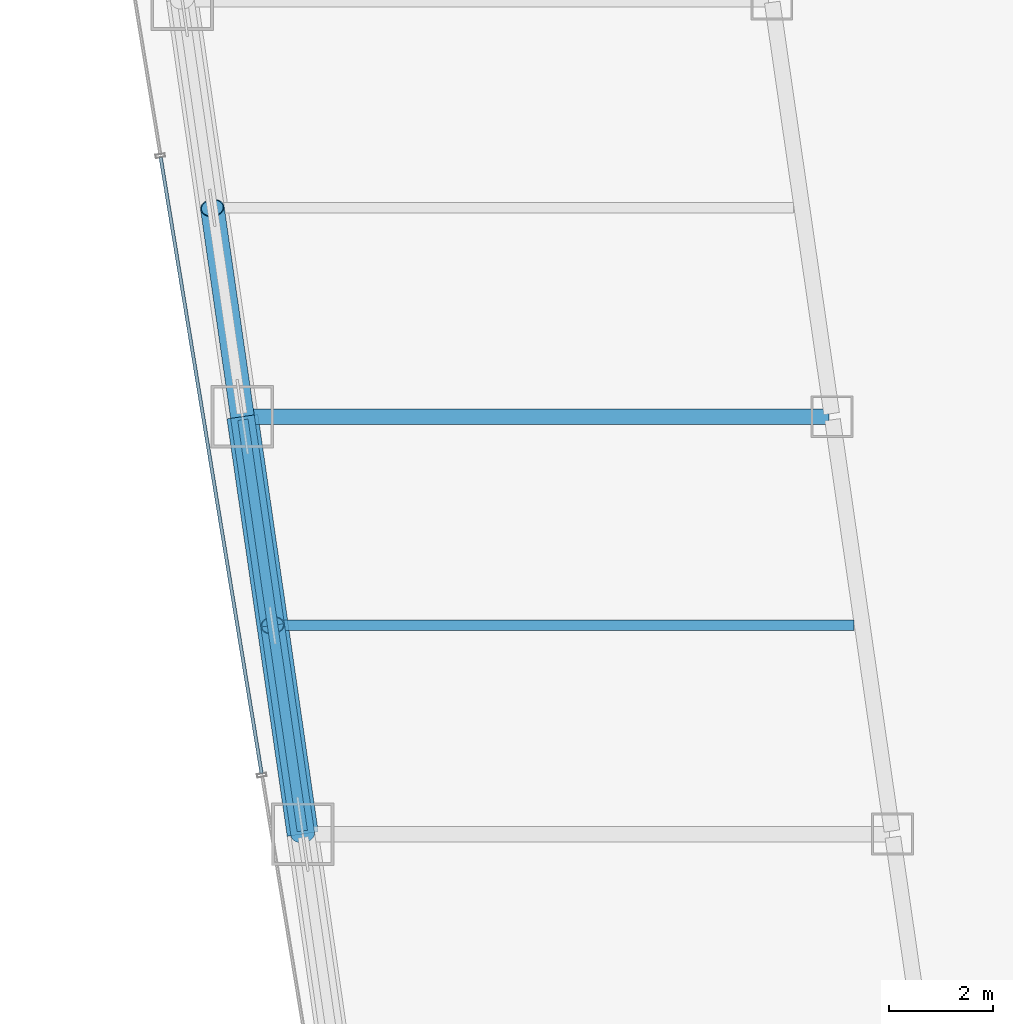
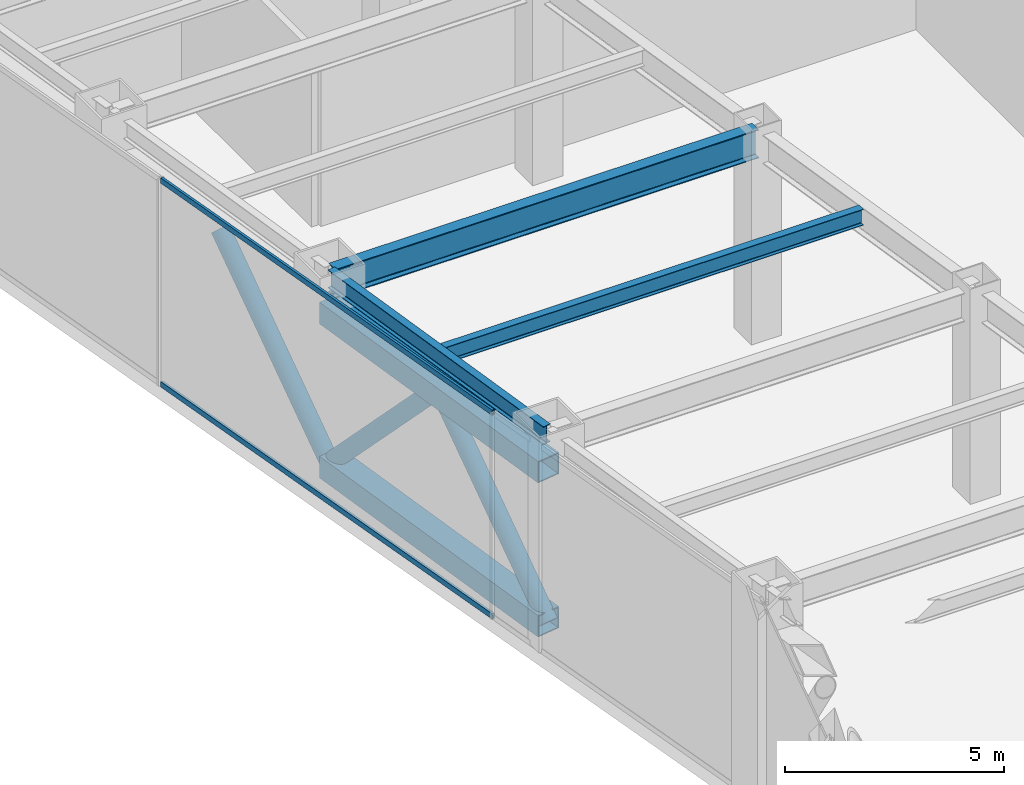
# One storey, part 10 of 35: 7 members, 3 beams, 1 element without a shape of its own.
"""IFC4 building model written with IfcOpenShell, lengths in metres."""

from ifc_helpers import new_model, si_unit, direction, frame, origin, origin_2d, place, context, subcontext, project, spatial, hollow_rectangle, hollow_circle, i_section, extrude, material, material_profile, profile_set, type_object, element, aggregate, save


model = new_model("IFC4")

# Units and contexts
model_context = context("Model", 3, precision=1e-05, world=origin(), true_north=direction((0.0, 1.0)))
body_context = subcontext(model_context, "Body", "Model", "MODEL_VIEW")
ifc_project = project(units=[si_unit("LENGTHUNIT", "METRE"), si_unit("AREAUNIT", "SQUARE_METRE"), si_unit("VOLUMEUNIT", "CUBIC_METRE"), si_unit("PLANEANGLEUNIT", "RADIAN"), si_unit("MASSUNIT", "GRAM", prefix="KILO")], contexts=[model_context])

# Site, building, storey
site_placement = place(None, origin())
site = spatial("IfcSite", under=ifc_project, at=site_placement, CompositionType="ELEMENT")
building_placement = place(site_placement, origin())
building = spatial("IfcBuilding", under=site, at=building_placement, Name="Saevonmaru Cultural Tower", CompositionType="ELEMENT")
storey_placement = place(building_placement, frame((0.0, 0.0, 86.800048828125)))
storey = spatial("IfcBuildingStorey", under=building, at=storey_placement, Name="L18", CompositionType="ELEMENT", Elevation=86.800048828125)

# Beams
ifc_material_1 = material(Name="Steel SM420", Category="steel")
ifc_material_profile_1 = material_profile(ifc_material_1, i_section(OverallWidth=0.300048828125, OverallDepth=0.800048828125, WebThickness=0.013916015625, FlangeThickness=0.02587890625, FilletRadius=0.028076171875, at=origin_2d()), Name="H-800x300x14x26")
ifc_profile_set_1 = profile_set([ifc_material_profile_1], Name="Steel SM420")
beam_type_1 = type_object("IfcBeamType", Name="BM-G-H800", PredefinedType="BEAM", material=ifc_profile_set_1)
beam_1_placement = place(storey_placement, frame((9.531982421875, 24.0, 5.349853515625), z_axis=(1.0, 0.0, 0.0), x_axis=(0.0, 1.0, 0.0)))
element("IfcBeam", 1, at=beam_1_placement, inside=storey, type_object=beam_type_1, Name="L18 West Wing Transverse Girder 4", PredefinedType="BEAM", context=body_context, shape_type="SweptSolid", body=[
    extrude(i_section(OverallWidth=0.300048828125, OverallDepth=0.800048828125, WebThickness=0.013916015625, FlangeThickness=0.02587890625, FilletRadius=0.028076171875, at=origin_2d()), origin(), (0.0, 0.0, 1.0), 11.179931640625),
])
ifc_material_2 = material(Name="Steel SM355", Category="steel")
ifc_material_profile_2 = material_profile(ifc_material_2, i_section(OverallWidth=0.199951171875, OverallDepth=0.449951171875, WebThickness=0.009033203125, FlangeThickness=0.013916015625, FilletRadius=0.01806640625, at=origin_2d()), Name="H-450x200x9x14")
ifc_profile_set_2 = profile_set([ifc_material_profile_2], Name="Steel SM355")
beam_type_2 = type_object("IfcBeamType", Name="BM-J-H450", PredefinedType="JOIST", material=ifc_profile_set_2)
beam_2_placement = place(storey_placement, frame((10.110107421875, 20.0, 5.52490234375), z_axis=(1.0, 0.0, 0.0), x_axis=(0.0, 1.0, 0.0)))
element("IfcBeam", 2, at=beam_2_placement, inside=storey, type_object=beam_type_2, Name="L18 West Wing Floor Joist 3", PredefinedType="JOIST", context=body_context, shape_type="SweptSolid", body=[
    extrude(i_section(OverallWidth=0.199951171875, OverallDepth=0.449951171875, WebThickness=0.009033203125, FlangeThickness=0.013916015625, FilletRadius=0.01806640625, at=origin_2d()), origin(), (0.0, 0.0, 1.0), 11.081787109375),
])
ifc_material_profile_3 = material_profile(ifc_material_2, i_section(OverallWidth=0.199951171875, OverallDepth=0.5, WebThickness=0.010009765625, FlangeThickness=0.01611328125, FilletRadius=0.02001953125, at=origin_2d()), Name="H-500x200x10x16")
ifc_profile_set_3 = profile_set([ifc_material_profile_3], Name="Steel SM355")
beam_type_3 = type_object("IfcBeamType", Name="BM-SP-H500", PredefinedType="SPANDREL", material=ifc_profile_set_3)
beam_3_placement = place(storey_placement, frame((10.619384765625, 16.059326171875, 5.5), z_axis=(-0.142992129437, 0.989723825579, 0.0), x_axis=(-0.989723825579, -0.142992129437, 0.0)))
element("IfcBeam", 3, at=beam_3_placement, inside=storey, type_object=beam_type_3, Name="L18 West Splayed Spandrel 3", PredefinedType="SPANDREL", context=body_context, shape_type="SweptSolid", body=[
    extrude(i_section(OverallWidth=0.199951171875, OverallDepth=0.5, WebThickness=0.010009765625, FlangeThickness=0.01611328125, FilletRadius=0.02001953125, at=origin_2d()), origin(), (0.0, 0.0, 1.0), 7.963134765625),
])

# Members
ifc_material_profile_4 = material_profile(ifc_material_1, hollow_circle(Radius=0.228515625, WallThickness=0.02001953125, at=origin_2d()), Name="CHS-457.2x20")
ifc_profile_set_4 = profile_set([ifc_material_profile_4], Name="Steel SM420")
member_type_1 = type_object("IfcMemberType", Name="MB-BBR-CHS457", PredefinedType="BRACE", material=ifc_profile_set_4)
for number, where, z_axis, x_axis, name in (
    (4, (10.6279296875, 16.0, 0.300048828125), (-0.09792865543, 0.67784667958, 0.728652082566), (-0.989724747682, -0.142985746934, 0.0), "L18 Belt Truss Diagonal BW3-1"),
    (5, (9.471923828125, 24.0, 0.300048828125), (0.097969630896, -0.677843932686, 0.728649129789), (0.989716197255, 0.143044919135, 0.0), "L18 Belt Truss Diagonal BW3-2"),
):
    element("IfcMember", number, at=place(storey_placement, frame(where, z_axis=z_axis, x_axis=x_axis)), inside=storey, type_object=member_type_1, Name=name, PredefinedType="BRACE", context=body_context, shape_type="SweptSolid", body=[
        extrude(hollow_circle(Radius=0.228515625, WallThickness=0.02001953125, at=origin_2d()), origin(), (0.0, 0.0, 1.0), 5.901123046875),
    ])
member_1_placement = place(storey_placement, frame((9.471923828125, 24.0, 0.300048828125), z_axis=(-0.097764748588, 0.677857655887, 0.72866388156), x_axis=(-0.989758915483, -0.142749042803, 0.0)))
element("IfcMember", 6, at=member_1_placement, inside=storey, type_object=member_type_1, Name="L18 Belt Truss Diagonal BW4-1", PredefinedType="BRACE", context=body_context, shape_type="SweptSolid", body=[
    extrude(hollow_circle(Radius=0.228515625, WallThickness=0.02001953125, at=origin_2d()), origin(), (0.0, 0.0, 1.0), 5.90087890625),
])
ifc_material_profile_5 = material_profile(ifc_material_1, hollow_rectangle(XDim=0.60009765625, YDim=0.60009765625, WallThickness=0.028076171875, at=origin_2d()), Name="BOX-600x600x28")
ifc_profile_set_5 = profile_set([ifc_material_profile_5], Name="Steel SM420")
member_type_2 = type_object("IfcMemberType", Name="MB-BCH-BOX600", PredefinedType="CHORD", material=ifc_profile_set_5)
for number, where, z_axis, x_axis, name in (
    (7, (10.6279296875, 16.0, 0.300048828125), (-0.143015333226, 0.989720472892, 0.0), (-0.989720472892, -0.143015333226, 0.0), "L18 Belt Truss Bottom Chord BW3"),
    (8, (10.6279296875, 16.0, 4.599853515625), (-0.143015333226, 0.989720472892, 0.0), (-0.989720472892, -0.143015333226, 0.0), "L18 Belt Truss Top Chord BW3"),
):
    element("IfcMember", number, at=place(storey_placement, frame(where, z_axis=z_axis, x_axis=x_axis)), inside=storey, type_object=member_type_2, Name=name, PredefinedType="CHORD", context=body_context, shape_type="SweptSolid", body=[
        extrude(hollow_rectangle(XDim=0.60009765625, YDim=0.60009765625, WallThickness=0.028076171875, at=origin_2d()), origin(), (0.0, 0.0, 1.0), 8.0830078125),
    ])

# Curtain wall, members
ifc_material_3 = material(Name="Satin Bronze Anodised Aluminium", Category="aluminium")
curtain_wall_type = type_object("IfcCurtainWallType", Name="CW-TYP-A", PredefinedType="NOTDEFINED", material=ifc_material_3)
curtain_wall_placement = place(storey_placement, origin())
curtain_wall = element("IfcCurtainWall", 9, at=curtain_wall_placement, inside=storey, type_object=curtain_wall_type, Name="L18 Wind-Floor Acoustic Louvre Screen E12", PredefinedType="NOTDEFINED")
ifc_material_profile_6 = material_profile(ifc_material_3, hollow_rectangle(XDim=0.06494140625, YDim=0.14990234375, WallThickness=0.00390625, at=origin_2d()), Name="ALU-TRAN-150x65x4")
ifc_profile_set_6 = profile_set([ifc_material_profile_6], Name="Satin Bronze Anodised Aluminium")
member_type_3 = type_object("IfcMemberType", Name="TR-CW-150x65", PredefinedType="USERDEFINED", material=ifc_profile_set_6)
member_2_placement = place(storey_placement, frame((7.9052734375, 28.968017578125, 0.032470703125), z_axis=(0.161701400727, -0.986839732177, 0.0), x_axis=(0.986839732177, 0.161701400727, 0.0)))
member_2 = element("IfcMember", 10, at=member_2_placement, type_object=member_type_3, Name="CW-TW-L18-E12 transom 3.1", ObjectType="TRANSOM", PredefinedType="USERDEFINED", context=body_context, shape_type="SweptSolid", body=[
    extrude(hollow_rectangle(XDim=0.06494140625, YDim=0.14990234375, WallThickness=0.00390625, at=origin_2d()), origin(), (0.0, 0.0, 1.0), 11.9638671875),
])
member_3_placement = place(storey_placement, frame((7.9052734375, 28.968017578125, 5.717529296875), z_axis=(0.161701400727, -0.986839732177, 0.0), x_axis=(0.986839732177, 0.161701400727, 0.0)))
member_3 = element("IfcMember", 11, at=member_3_placement, type_object=member_type_3, Name="CW-TW-L18-E12 transom 3.2", ObjectType="TRANSOM", PredefinedType="USERDEFINED", context=body_context, shape_type="SweptSolid", body=[
    extrude(hollow_rectangle(XDim=0.06494140625, YDim=0.14990234375, WallThickness=0.00390625, at=origin_2d()), origin(), (0.0, 0.0, 1.0), 11.9638671875),
])
aggregate(curtain_wall, [member_2, member_3])

save(model, "model.ifc")
